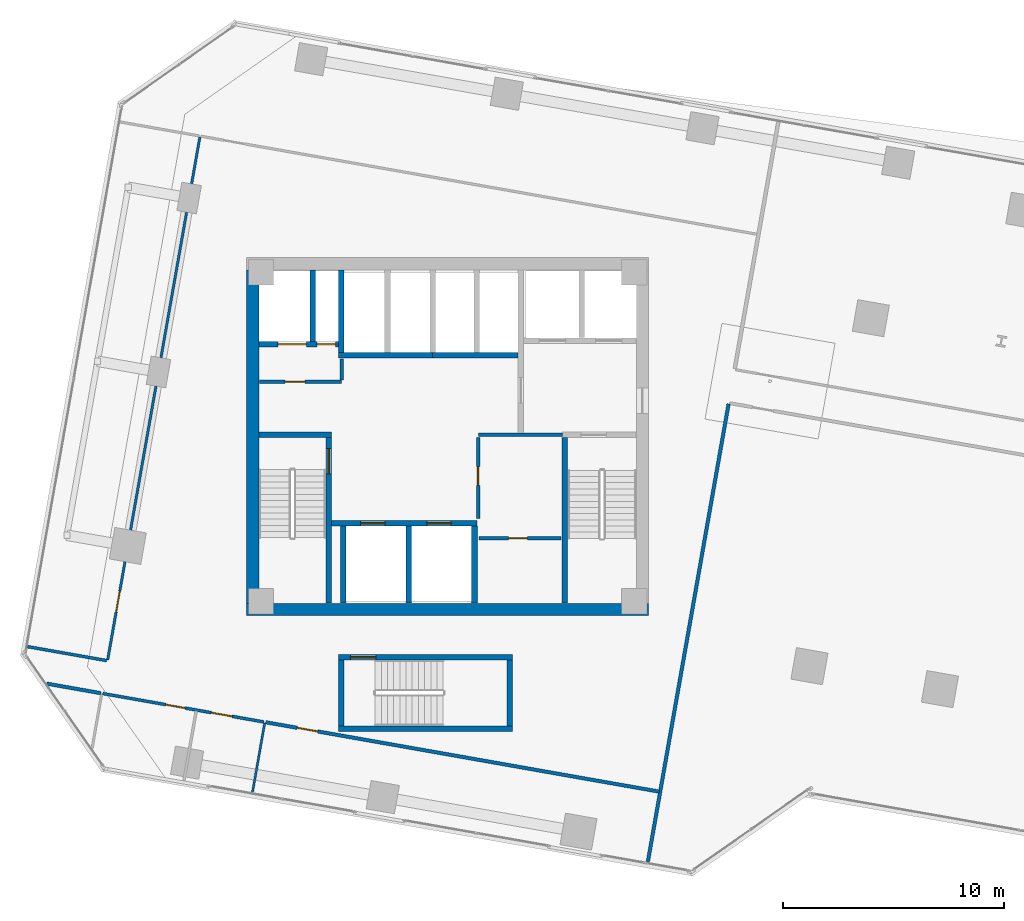
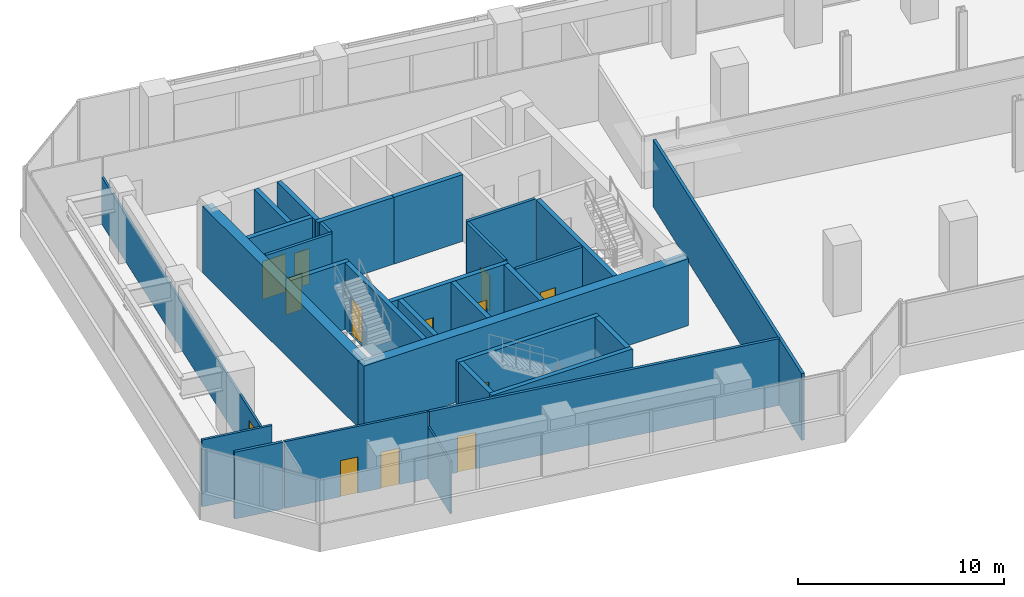
# One storey, part 19 of 24: 30 walls, 13 doors, 13 openings.
"""IFC4 building model written with IfcOpenShell, lengths in metres."""

import ifcopenshell
import ifcopenshell.guid

model = None  # the IFC model being written
_history = None  # IfcOwnerHistory: only IFC2X3 demands one
_inside = {}  # id of a spatial element -> (the spatial element, [elements in it])
_under = {}  # id of a project, library or spatial element -> (it, [spatial elements below it])
_declared = {}  # id of a project -> (the project, [libraries it declares])
_typed = {}  # id of a type object -> (the type object, [elements of that type])
_made_of = {}  # id of a material, layer set ... -> (it, [elements and type objects made of it])


def new_model(schema):
    """Start an empty IFC model of exactly this schema.

    Asked for "IFC4X3", IfcOpenShell would pick the latest addendum, in which some entities
    have other attributes; the version numbers below select the first issue.
    IFC2X3 requires an IfcOwnerHistory on every rooted entity: one is made here for all.
    """
    global model, _history
    if schema == "IFC4X3":
        model = ifcopenshell.file(schema_version=(4, 3, 0, 0))
    else:
        model = ifcopenshell.file(schema=schema)
    _inside.clear()
    _under.clear()
    _declared.clear()
    _typed.clear()
    _made_of.clear()
    _history = None
    if model.schema == "IFC2X3":
        org = make("IfcOrganization", Name="unknown")
        user = make(
            "IfcPersonAndOrganization",
            ThePerson=make("IfcPerson", FamilyName="unknown"),
            TheOrganization=org,
        )
        app = make(
            "IfcApplication",
            ApplicationDeveloper=org,
            Version="unknown",
            ApplicationFullName="unknown",
            ApplicationIdentifier="unknown",
        )
        _history = make(
            "IfcOwnerHistory",
            OwningUser=user,
            OwningApplication=app,
            ChangeAction="ADDED",
            CreationDate=0,
        )
    return model


def make(cls, **values):
    """One entity of the class cls with the attributes given. An attribute that is None is left unset."""
    return model.create_entity(
        cls, **{name: value for name, value in values.items() if value is not None}
    )


def rooted(cls, **values):
    """An entity with a GlobalId (a new one), such as an element, a storey or a relation."""
    return make(cls, GlobalId=ifcopenshell.guid.new(), OwnerHistory=_history, **values)


def si_unit(unit_type, name, prefix=None):
    """IfcSIUnit, for example si_unit("LENGTHUNIT", "METRE", prefix="MILLI")."""
    return make("IfcSIUnit", UnitType=unit_type, Prefix=prefix, Name=name)


def assignment(units):
    """IfcUnitAssignment: the units of a project."""
    return None if units is None else make("IfcUnitAssignment", Units=units)


def point(xyz):
    """IfcCartesianPoint."""
    return None if xyz is None else make("IfcCartesianPoint", Coordinates=xyz)


def direction(xyz):
    """IfcDirection."""
    return None if xyz is None else make("IfcDirection", DirectionRatios=xyz)


def frame(location, z_axis=None, x_axis=None):
    """IfcAxis2Placement3D, a coordinate frame: its origin and axes. An axis left out is left unset."""
    return make(
        "IfcAxis2Placement3D",
        Location=point(location),
        Axis=direction(z_axis),
        RefDirection=direction(x_axis),
    )


def frame_2d(location, x_axis=None):
    """IfcAxis2Placement2D, a coordinate frame in the plane: its origin and x axis."""
    return make(
        "IfcAxis2Placement2D", Location=point(location), RefDirection=direction(x_axis)
    )


def origin():
    """The frame at (0, 0, 0) with its axes left unset."""
    return frame((0.0, 0.0, 0.0))


def place(relative_to, where):
    """IfcLocalPlacement: puts the frame where relative to a parent placement (None: the world)."""
    return make(
        "IfcLocalPlacement", PlacementRelTo=relative_to, RelativePlacement=where
    )


def context(
    kind, dimensions, precision=None, world=None, true_north=None, identifier=None
):
    """IfcGeometricRepresentationContext, for example the 3D "Model" context."""
    return make(
        "IfcGeometricRepresentationContext",
        ContextIdentifier=identifier,
        ContextType=kind,
        CoordinateSpaceDimension=dimensions,
        Precision=precision,
        WorldCoordinateSystem=world,
        TrueNorth=true_north,
    )


def subcontext(parent, identifier, kind, view, scale=None):
    """IfcGeometricRepresentationSubContext, for example "Body" below "Model"."""
    return make(
        "IfcGeometricRepresentationSubContext",
        ContextIdentifier=identifier,
        ContextType=kind,
        ParentContext=parent,
        TargetScale=scale,
        TargetView=view,
    )


def project(units=None, contexts=None):
    """IfcProject with its units and contexts."""
    return rooted(
        "IfcProject",
        Name="project",
        RepresentationContexts=contexts,
        UnitsInContext=assignment(units),
    )


def spatial(cls, under=None, at=None, **own):
    """A site, building, storey or space (cls), placed at a placement, below another one or the project."""
    s = rooted(cls, ObjectPlacement=at, **own)
    if under is not None:
        _under.setdefault(under.id(), (under, []))[1].append(s)
    return s


def profile(cls, at=None, kind="AREA", **sizes):
    """A parametric profile (cls). Its sizes go by their IFC names, for example OverallWidth=200.0."""
    return make(cls, ProfileType=kind, Position=at, **sizes)


def rectangle(**sizes):
    """IfcRectangleProfileDef."""
    return profile("IfcRectangleProfileDef", **sizes)


def extrude(swept, where, along, depth):
    """IfcExtrudedAreaSolid: the profile swept, set in the frame where, extruded along a direction by depth."""
    return make(
        "IfcExtrudedAreaSolid",
        SweptArea=swept,
        Position=where,
        ExtrudedDirection=direction(along),
        Depth=depth,
    )


def shape(context_of_items, identifier, shape_type, items):
    """IfcShapeRepresentation: the items that make up one representation, for example the "Body"."""
    return make(
        "IfcShapeRepresentation",
        ContextOfItems=context_of_items,
        RepresentationIdentifier=identifier,
        RepresentationType=shape_type,
        Items=items,
    )


def source(mapping_origin, context_of_items, identifier, shape_type, items):
    """IfcRepresentationMap: a shape defined once, which mapped items show again and again."""
    return make(
        "IfcRepresentationMap",
        MappingOrigin=mapping_origin,
        MappedRepresentation=shape(context_of_items, identifier, shape_type, items),
    )


def transform(
    local_origin,
    x_axis=None,
    y_axis=None,
    z_axis=None,
    scale=None,
    scale2=None,
    scale3=None,
    uniform=True,
):
    """IfcCartesianTransformationOperator3D, or its non-uniform kind. x_axis, y_axis, z_axis: its Axis1, 2, 3."""
    if uniform:
        return make(
            "IfcCartesianTransformationOperator3D",
            Axis1=direction(x_axis),
            Axis2=direction(y_axis),
            LocalOrigin=point(local_origin),
            Scale=scale,
            Axis3=direction(z_axis),
        )
    return make(
        "IfcCartesianTransformationOperator3DnonUniform",
        Axis1=direction(x_axis),
        Axis2=direction(y_axis),
        LocalOrigin=point(local_origin),
        Scale=scale,
        Axis3=direction(z_axis),
        Scale2=scale2,
        Scale3=scale3,
    )


def mapped(mapping_source, mapping_target):
    """IfcMappedItem: shows the shape of a source again, moved by a transform."""
    return make(
        "IfcMappedItem", MappingSource=mapping_source, MappingTarget=mapping_target
    )


def material(Name=None, Category=None):
    """IfcMaterial."""
    return make("IfcMaterial", Name=Name, Category=Category)


def layer(
    of_material, thickness, ventilated=None, Name=None, Category=None, Priority=None
):
    """IfcMaterialLayer: one layer of a wall or slab, of a material (None: an air gap)."""
    return make(
        "IfcMaterialLayer",
        Material=of_material,
        LayerThickness=thickness,
        IsVentilated=ventilated,
        Name=Name,
        Category=Category,
        Priority=Priority,
    )


def layer_set(layers, Name=None):
    """IfcMaterialLayerSet."""
    return make("IfcMaterialLayerSet", MaterialLayers=layers, LayerSetName=Name)


def made_of(thing, what):
    """Note that an element or type object is made of a material, layer set ...; save() writes the relation."""
    if what is not None:
        _made_of.setdefault(what.id(), (what, []))[1].append(thing)
    return thing


def type_object(cls, material=None, **own):
    """A type object (cls), such as IfcWallType, which elements share."""
    return made_of(rooted(cls, **own), material)


def element(
    cls,
    number,
    at=None,
    inside=None,
    cuts=None,
    type_object=None,
    material=None,
    context=None,
    identifier="Body",
    shape_type=None,
    held_by="IfcProductDefinitionShape",
    body=None,
    shapes=None,
    **own,
):
    """One element of the class cls, such as IfcWall. Its Tag is "e" and its number.

    at: its placement. inside: the storey or other place that contains it. cuts: it is an
    opening in that element (IfcRelVoidsElement). A single representation is given by context,
    identifier, shape_type and body (its items); several are given by shapes. held_by: the class
    of the entity that holds the representations. save() writes the other relations.
    """
    e = rooted(cls, Tag="e%d" % number, ObjectPlacement=at, **own)
    if body is not None:
        shapes = [shape(context, identifier, shape_type, body)]
    if shapes is not None:
        e.Representation = make(held_by, Representations=shapes)
    if inside is not None:
        _inside.setdefault(inside.id(), (inside, []))[1].append(e)
    if cuts is not None:
        rooted(
            "IfcRelVoidsElement", RelatingBuildingElement=cuts, RelatedOpeningElement=e
        )
    if type_object is not None:
        _typed.setdefault(type_object.id(), (type_object, []))[1].append(e)
    return made_of(e, material)


def fill(opening, filler):
    """IfcRelFillsElement: the door or window that sits in an opening."""
    return rooted(
        "IfcRelFillsElement",
        RelatingOpeningElement=opening,
        RelatedBuildingElement=filler,
    )


def aggregate(whole, parts):
    """IfcRelAggregates: a whole, such as a stair, and the parts it consists of."""
    return rooted("IfcRelAggregates", RelatingObject=whole, RelatedObjects=parts)


def save(model, path):
    """Write the relations noted so far, then the file.

    IfcRelAggregates (storeys below a building ...), IfcRelContainedInSpatialStructure (elements
    in a storey), IfcRelDefinesByType, IfcRelAssociatesMaterial and IfcRelDeclares: one each for
    every whole, place, type object, material and project.
    """
    for whole, parts in _under.values():
        aggregate(whole, parts)
    for where, things in _inside.values():
        rooted(
            "IfcRelContainedInSpatialStructure",
            RelatedElements=things,
            RelatingStructure=where,
        )
    for kind, things in _typed.values():
        rooted("IfcRelDefinesByType", RelatedObjects=things, RelatingType=kind)
    for what, things in _made_of.values():
        rooted("IfcRelAssociatesMaterial", RelatedObjects=things, RelatingMaterial=what)
    for by, libraries in _declared.values():
        rooted("IfcRelDeclares", RelatingContext=by, RelatedDefinitions=libraries)
    model.write(path)


model = new_model("IFC4")

# Units and contexts
model_context = context("Model", 3, precision=1e-05, world=origin(), true_north=direction((0.0, 1.0)))
body_context = subcontext(model_context, "Body", "Model", "MODEL_VIEW")
ifc_project = project(units=[si_unit("LENGTHUNIT", "METRE"), si_unit("AREAUNIT", "SQUARE_METRE"), si_unit("VOLUMEUNIT", "CUBIC_METRE"), si_unit("PLANEANGLEUNIT", "RADIAN"), si_unit("MASSUNIT", "GRAM", prefix="KILO")], contexts=[model_context])

# Site, building, storey
site_placement = place(None, origin())
site = spatial("IfcSite", under=ifc_project, at=site_placement, CompositionType="ELEMENT")
building_placement = place(site_placement, origin())
building = spatial("IfcBuilding", under=site, at=building_placement, Name="Torre Montelarca", CompositionType="ELEMENT")
storey_placement = place(building_placement, frame((0.0, 0.0, 74.800048828125)))
storey = spatial("IfcBuildingStorey", under=building, at=storey_placement, Name="L16", CompositionType="ELEMENT", Elevation=74.800048828125)

# Wall, opening, door
ifc_material_1 = material(Name="Concrete C40/50", Category="concrete")
ifc_layer_1 = layer(ifc_material_1, 0.25, Name="Concrete C40/50", Category="concrete")
ifc_layer_set_1 = layer_set([ifc_layer_1], Name="Concrete C40/50")
wall_type_1 = type_object("IfcWallType", Name="CW-SHAFT-250", PredefinedType="SHEAR", material=ifc_layer_set_1)
wall_1_placement = place(storey_placement, frame((12.625, 24.4599609375, 0.0), z_axis=(0.0, 0.0, 1.0), x_axis=(0.0, 1.0, 0.0)))
wall_1 = element("IfcWall", 1, at=wall_1_placement, inside=storey, type_object=wall_type_1, Name="L16 Core Shear Wall SH-ST1-E", PredefinedType="SHEAR", context=body_context, shape_type="SweptSolid", body=[
    extrude(rectangle(XDim=7.489990234375, YDim=0.25, at=frame_2d((3.7451171875, 0.0))), origin(), (0.0, 0.0, 1.0), 3.9599609375),
])
opening_1_placement = place(wall_1_placement, frame((5.85009765625, 0.0, 0.0)))
opening_1 = element("IfcOpeningElement", 2, at=opening_1_placement, cuts=wall_1, Name="Opening FD-ST1", PredefinedType="OPENING", context=body_context, shape_type="SweptSolid", body=[
    extrude(rectangle(XDim=1.14990234375, YDim=2.199951171875, at=frame_2d((0.574951171875, 1.10009765625))), frame((0.0, 0.135009765625, 0.0), z_axis=(0.0, -1.0, 0.0), x_axis=(1.0, 0.0, 0.0)), (0.0, 0.0, 1.0), 0.27001953125),
])
ifc_material_2 = material(Name="Galvanized steel fire door", Category="steel")
door_type_1 = type_object("IfcDoorType", Name="DR-STAIR-115", OperationType="NOTDEFINED", PredefinedType="DOOR", material=ifc_material_2)
shared_shape_1 = source(origin(), body_context, "Body", "SweptSolid", [
    extrude(rectangle(XDim=1.14990234375, YDim=2.199951171875, at=frame_2d((0.574951171875, 1.10009765625))), frame((0.0, 0.02490234375, 0.0), z_axis=(0.0, -1.0, 0.0), x_axis=(1.0, 0.0, 0.0)), (0.0, 0.0, 1.0), 0.050048828125),
])
door_1_placement = place(opening_1_placement, origin())
door_1 = element("IfcDoor", 3, at=door_1_placement, inside=storey, type_object=door_type_1, Name="L16 Exit Stair ST1 Fire Door", OperationType="SINGLE_SWING_RIGHT", OverallHeight=2.199951171875, OverallWidth=1.14990234375, PredefinedType="DOOR", context=body_context, shape_type="MappedRepresentation", body=[
    mapped(shared_shape_1, transform((0.0, 0.0, 0.0), scale=1.0)),
])
fill(opening_1, door_1)

# Walls
wall_2_placement = place(storey_placement, frame((9.4599609375, 32.074951171875, 0.0), z_axis=(0.0, 0.0, 1.0), x_axis=(1.0, 0.0, 0.0)))
element("IfcWall", 4, at=wall_2_placement, inside=storey, type_object=wall_type_1, Name="L16 Core Shear Wall SH-ST1-N", PredefinedType="SHEAR", context=body_context, shape_type="SweptSolid", body=[
    extrude(rectangle(XDim=3.2900390625, YDim=0.25, at=frame_2d((1.64501953125, 0.0))), origin(), (0.0, 0.0, 1.0), 3.9599609375),
])
wall_3_placement = place(storey_placement, frame((23.31494140625, 24.4599609375, 0.0), z_axis=(0.0, 0.0, 1.0), x_axis=(0.0, 1.0, 0.0)))
element("IfcWall", 5, at=wall_3_placement, inside=storey, type_object=wall_type_1, Name="L16 Core Shear Wall SH-ST2-W", PredefinedType="SHEAR", context=body_context, shape_type="SweptSolid", body=[
    extrude(rectangle(XDim=7.489990234375, YDim=0.25, at=frame_2d((3.7451171875, 0.0))), origin(), (0.0, 0.0, 1.0), 3.9599609375),
])

# Wall, openings, doors
wall_4_placement = place(storey_placement, frame((9.4599609375, 36.179931640625, 0.0), z_axis=(0.0, 0.0, 1.0), x_axis=(1.0, 0.0, 0.0)))
wall_4 = element("IfcWall", 6, at=wall_4_placement, inside=storey, type_object=wall_type_1, Name="L16 Core Shear Wall SH-SV1-S", PredefinedType="SHEAR", context=body_context, shape_type="SweptSolid", body=[
    extrude(rectangle(XDim=3.7900390625, YDim=0.25, at=frame_2d((1.89501953125, 0.0))), origin(), (0.0, 0.0, 1.0), 3.9599609375),
])
opening_2_placement = place(wall_4_placement, frame((2.6201171875, 0.0, 0.0)))
opening_2 = element("IfcOpeningElement", 7, at=opening_2_placement, cuts=wall_4, Name="Opening FD-085", PredefinedType="OPENING", context=body_context, shape_type="SweptSolid", body=[
    extrude(rectangle(XDim=0.85009765625, YDim=2.10009765625, at=frame_2d((0.425048828125, 1.050048828125))), frame((0.0, 0.135009765625, 0.0), z_axis=(0.0, -1.0, 0.0), x_axis=(1.0, 0.0, 0.0)), (0.0, 0.0, 1.0), 0.27001953125),
])
opening_3_placement = place(wall_4_placement, frame((0.85009765625, 0.0, 0.0)))
opening_3 = element("IfcOpeningElement", 8, at=opening_3_placement, cuts=wall_4, Name="Opening LD-130", PredefinedType="OPENING", context=body_context, shape_type="SweptSolid", body=[
    extrude(rectangle(XDim=1.300048828125, YDim=2.25, at=frame_2d((0.64990234375, 1.125))), frame((0.0, 0.135009765625, 0.0), z_axis=(0.0, -1.0, 0.0), x_axis=(1.0, 0.0, 0.0)), (0.0, 0.0, 1.0), 0.27001953125),
])
ifc_material_3 = material(Name="Steel riser access fire door", Category="steel")
door_type_2 = type_object("IfcDoorType", Name="DR-RISER-085", OperationType="NOTDEFINED", PredefinedType="DOOR", material=ifc_material_3)
shared_shape_2 = source(origin(), body_context, "Body", "SweptSolid", [
    extrude(rectangle(XDim=0.85009765625, YDim=2.10009765625, at=frame_2d((0.425048828125, 1.050048828125))), frame((0.0, 0.02490234375, 0.0), z_axis=(0.0, -1.0, 0.0), x_axis=(1.0, 0.0, 0.0)), (0.0, 0.0, 1.0), 0.050048828125),
])
door_2_placement = place(opening_2_placement, origin())
door_2 = element("IfcDoor", 9, at=door_2_placement, inside=storey, type_object=door_type_2, Name="L16 Electrical Riser Shaft Access Door", OperationType="SINGLE_SWING_RIGHT", OverallHeight=2.10009765625, OverallWidth=0.85009765625, PredefinedType="DOOR", context=body_context, shape_type="MappedRepresentation", body=[
    mapped(shared_shape_2, transform((0.0, 0.0, 0.0), scale=1.0)),
])
fill(opening_2, door_2)
ifc_material_4 = material(Name="Brushed stainless steel AISI 316", Category="steel")
door_type_3 = type_object("IfcDoorType", Name="DR-LIFT-130", OperationType="SLIDING_TO_LEFT", PredefinedType="DOOR", material=ifc_material_4)
shared_shape_3 = source(origin(), body_context, "Body", "SweptSolid", [
    extrude(rectangle(XDim=1.300048828125, YDim=2.25, at=frame_2d((0.64990234375, 1.125))), frame((0.0, 0.02490234375, 0.0), z_axis=(0.0, -1.0, 0.0), x_axis=(1.0, 0.0, 0.0)), (0.0, 0.0, 1.0), 0.050048828125),
])
door_3_placement = place(opening_3_placement, origin())
door_3 = element("IfcDoor", 10, at=door_3_placement, inside=storey, type_object=door_type_3, Name="L16 Lift Landing Sliding Door SV-1", OperationType="SLIDING_TO_LEFT", OverallHeight=2.25, OverallWidth=1.300048828125, PredefinedType="DOOR", context=body_context, shape_type="MappedRepresentation", body=[
    mapped(shared_shape_3, transform((0.0, 0.0, 0.0), scale=1.0)),
])
fill(opening_3, door_3)

# Wall
wall_5_placement = place(storey_placement, frame((11.89990234375, 36.31005859375, 0.0), z_axis=(0.0, 0.0, 1.0), x_axis=(0.0, 1.0, 0.0)))
element("IfcWall", 11, at=wall_5_placement, inside=storey, type_object=wall_type_1, Name="L16 Core Shear Wall SH-SV1-E", PredefinedType="SHEAR", context=body_context, shape_type="SweptSolid", body=[
    extrude(rectangle(XDim=3.22998046875, YDim=0.25, at=frame_2d((1.614990234375, 0.0))), origin(), (0.0, 0.0, 1.0), 3.9599609375),
])

# Wall, openings, doors
wall_6_placement = place(storey_placement, frame((12.6298828125, 28.080078125, 0.0), z_axis=(0.0, 0.0, 1.0), x_axis=(1.0, 0.0, 0.0)))
wall_6 = element("IfcWall", 12, at=wall_6_placement, inside=storey, type_object=wall_type_1, Name="L16 Core Shear Wall SH-PLL-N", PredefinedType="SHEAR", context=body_context, shape_type="SweptSolid", body=[
    extrude(rectangle(XDim=6.710205078125, YDim=0.25, at=frame_2d((3.35498046875, 0.0))), origin(), (0.0, 0.0, 1.0), 3.9599609375),
])
opening_4_placement = place(wall_6_placement, frame((1.429931640625, 0.0, 0.0)))
opening_4 = element("IfcOpeningElement", 13, at=opening_4_placement, cuts=wall_6, Name="Opening LD-110", PredefinedType="OPENING", context=body_context, shape_type="SweptSolid", body=[
    extrude(rectangle(XDim=1.10009765625, YDim=2.199951171875, at=frame_2d((0.550048828125, 1.10009765625))), frame((0.0, 0.135009765625, 0.0), z_axis=(0.0, -1.0, 0.0), x_axis=(1.0, 0.0, 0.0)), (0.0, 0.0, 1.0), 0.27001953125),
])
opening_5_placement = place(wall_6_placement, frame((4.429931640625, 0.0, 0.0)))
opening_5 = element("IfcOpeningElement", 14, at=opening_5_placement, cuts=wall_6, Name="Opening LD-110", PredefinedType="OPENING", context=body_context, shape_type="SweptSolid", body=[
    extrude(rectangle(XDim=1.10009765625, YDim=2.199951171875, at=frame_2d((0.550048828125, 1.10009765625))), frame((0.0, 0.135009765625, 0.0), z_axis=(0.0, -1.0, 0.0), x_axis=(1.0, 0.0, 0.0)), (0.0, 0.0, 1.0), 0.27001953125),
])
door_type_4 = type_object("IfcDoorType", Name="DR-LIFT-110", OperationType="SLIDING_TO_LEFT", PredefinedType="DOOR", material=ifc_material_4)
shared_shape_4 = source(origin(), body_context, "Body", "SweptSolid", [
    extrude(rectangle(XDim=1.10009765625, YDim=2.199951171875, at=frame_2d((0.550048828125, 1.10009765625))), frame((0.0, 0.02490234375, 0.0), z_axis=(0.0, -1.0, 0.0), x_axis=(1.0, 0.0, 0.0)), (0.0, 0.0, 1.0), 0.050048828125),
])
door_4_placement = place(opening_4_placement, origin())
door_4 = element("IfcDoor", 15, at=door_4_placement, inside=storey, type_object=door_type_4, Name="L16 Lift Landing Sliding Door PL-L1", OperationType="SLIDING_TO_LEFT", OverallHeight=2.199951171875, OverallWidth=1.10009765625, PredefinedType="DOOR", context=body_context, shape_type="MappedRepresentation", body=[
    mapped(shared_shape_4, transform((0.0, 0.0, 0.0), scale=1.0)),
])
fill(opening_4, door_4)
door_5_placement = place(opening_5_placement, origin())
door_5 = element("IfcDoor", 16, at=door_5_placement, inside=storey, type_object=door_type_4, Name="L16 Lift Landing Sliding Door PL-L2", OperationType="SLIDING_TO_RIGHT", OverallHeight=2.199951171875, OverallWidth=1.10009765625, PredefinedType="DOOR", context=body_context, shape_type="MappedRepresentation", body=[
    mapped(shared_shape_4, transform((0.0, 0.0, 0.0), scale=1.0)),
])
fill(opening_5, door_5)

# Walls
for number, where, z_axis, x_axis, name in (
    (17, (13.280029296875, 24.4599609375, 0.0), (0.0, 0.0, 1.0), (0.0, 1.0, 0.0), "L16 Core Shear Wall SH-PLL-W"),
    (18, (16.25, 24.4599609375, 0.0), (0.0, 0.0, 1.0), (0.0, 1.0, 0.0), "L16 Core Shear Wall SH-PLL-M"),
    (19, (19.219970703125, 24.4599609375, 0.0), (0.0, 0.0, 1.0), (0.0, 1.0, 0.0), "L16 Core Shear Wall SH-PLL-E"),
):
    element("IfcWall", number, at=place(storey_placement, frame(where, z_axis=z_axis, x_axis=x_axis)), inside=storey, type_object=wall_type_1, Name=name, PredefinedType="SHEAR", context=body_context, shape_type="SweptSolid", body=[
        extrude(rectangle(XDim=3.489990234375, YDim=0.25, at=frame_2d((1.7451171875, 0.0))), origin(), (0.0, 0.0, 1.0), 3.9599609375),
    ])
wall_7_placement = place(storey_placement, frame((13.06005859375, 35.679931640625, 0.0), z_axis=(0.0, 0.0, 1.0), x_axis=(1.0, 0.0, 0.0)))
element("IfcWall", 20, at=wall_7_placement, inside=storey, type_object=wall_type_1, Name="L16 Core Shear Wall SH-PLM-S", PredefinedType="SHEAR", context=body_context, shape_type="SweptSolid", body=[
    extrude(rectangle(XDim=4.25, YDim=0.25, at=frame_2d((2.125, 0.0))), origin(), (0.0, 0.0, 1.0), 3.9599609375),
])
wall_8_placement = place(storey_placement, frame((13.179931640625, 35.81005859375, 0.0), z_axis=(0.0, 0.0, 1.0), x_axis=(0.0, 1.0, 0.0)))
element("IfcWall", 21, at=wall_8_placement, inside=storey, type_object=wall_type_1, Name="L16 Core Shear Wall SH-PLM-W", PredefinedType="SHEAR", context=body_context, shape_type="SweptSolid", body=[
    extrude(rectangle(XDim=3.72998046875, YDim=0.25, at=frame_2d((1.864990234375, 0.0))), origin(), (0.0, 0.0, 1.0), 3.9599609375),
])
wall_9_placement = place(storey_placement, frame((17.320068359375, 35.679931640625, 0.0), z_axis=(0.0, 0.0, 1.0), x_axis=(1.0, 0.0, 0.0)))
element("IfcWall", 22, at=wall_9_placement, inside=storey, type_object=wall_type_1, Name="L16 Core Shear Wall SH-PLH-S", PredefinedType="SHEAR", context=body_context, shape_type="SweptSolid", body=[
    extrude(rectangle(XDim=3.869873046875, YDim=0.25, at=frame_2d((1.93505859375, 0.0))), origin(), (0.0, 0.0, 1.0), 3.9599609375),
])
for number, where, z_axis, x_axis, name in (
    (23, (13.175048828125, 18.89990234375, 0.0), (0.0, 0.0, 1.0), (0.0, 1.0, 0.0), "L16 Core Shear Wall SH-ST3-W"),
    (24, (20.824951171875, 18.89990234375, 0.0), (0.0, 0.0, 1.0), (0.0, 1.0, 0.0), "L16 Core Shear Wall SH-ST3-E"),
):
    element("IfcWall", number, at=place(storey_placement, frame(where, z_axis=z_axis, x_axis=x_axis)), inside=storey, type_object=wall_type_1, Name=name, PredefinedType="SHEAR", context=body_context, shape_type="SweptSolid", body=[
        extrude(rectangle(XDim=2.989990234375, YDim=0.25, at=frame_2d((1.4951171875, 0.0))), origin(), (0.0, 0.0, 1.0), 3.9599609375),
    ])
wall_10_placement = place(storey_placement, frame((13.050048828125, 18.77490234375, 0.0), z_axis=(0.0, 0.0, 1.0), x_axis=(1.0, 0.0, 0.0)))
element("IfcWall", 25, at=wall_10_placement, inside=storey, type_object=wall_type_1, Name="L16 Core Shear Wall SH-ST3-S", PredefinedType="SHEAR", context=body_context, shape_type="SweptSolid", body=[
    extrude(rectangle(XDim=7.89990234375, YDim=0.25, at=frame_2d((3.949951171875, 0.0))), origin(), (0.0, 0.0, 1.0), 3.9599609375),
])

# Wall, opening, door
wall_11_placement = place(storey_placement, frame((13.050048828125, 22.014892578125, 0.0), z_axis=(0.0, 0.0, 1.0), x_axis=(1.0, 0.0, 0.0)))
wall_11 = element("IfcWall", 26, at=wall_11_placement, inside=storey, type_object=wall_type_1, Name="L16 Core Shear Wall SH-ST3-N", PredefinedType="SHEAR", context=body_context, shape_type="SweptSolid", body=[
    extrude(rectangle(XDim=7.89990234375, YDim=0.25, at=frame_2d((3.949951171875, 0.0))), origin(), (0.0, 0.0, 1.0), 3.9599609375),
])
opening_6_placement = place(wall_11_placement, frame((0.550048828125, 0.0, 0.0)))
opening_6 = element("IfcOpeningElement", 27, at=opening_6_placement, cuts=wall_11, Name="Opening FD-ST1", PredefinedType="OPENING", context=body_context, shape_type="SweptSolid", body=[
    extrude(rectangle(XDim=1.14990234375, YDim=2.199951171875, at=frame_2d((0.574951171875, 1.10009765625))), frame((0.0, 0.135009765625, 0.0), z_axis=(0.0, -1.0, 0.0), x_axis=(1.0, 0.0, 0.0)), (0.0, 0.0, 1.0), 0.27001953125),
])
door_6_placement = place(opening_6_placement, origin())
door_6 = element("IfcDoor", 28, at=door_6_placement, inside=storey, type_object=door_type_1, Name="L16 Exit Stair ST3 Fire Door", OperationType="SINGLE_SWING_LEFT", OverallHeight=2.199951171875, OverallWidth=1.14990234375, PredefinedType="DOOR", context=body_context, shape_type="MappedRepresentation", body=[
    mapped(shared_shape_1, transform((0.0, 0.0, 0.0), scale=1.0)),
])
fill(opening_6, door_6)

# Walls
ifc_material_5 = material(Name="Concrete C70/85", Category="concrete")
ifc_layer_2 = layer(ifc_material_5, 0.550048828125, Name="Concrete C70/85", Category="concrete")
ifc_layer_set_2 = layer_set([ifc_layer_2], Name="Concrete C70/85")
wall_type_2 = type_object("IfcWallType", Name="CW-SHEAR-550", PredefinedType="SHEAR", material=ifc_layer_set_2)
wall_12_placement = place(storey_placement, frame((9.175048828125, 24.449951171875, 0.0), z_axis=(0.0, 0.0, 1.0), x_axis=(0.0, 1.0, 0.0)))
element("IfcWall", 29, at=wall_12_placement, inside=storey, type_object=wall_type_2, Name="L16 Core Shear Wall CW-W", PredefinedType="SHEAR", context=body_context, shape_type="SweptSolid", body=[
    extrude(rectangle(XDim=15.10009765625, YDim=0.550048828125, at=frame_2d((7.550048828125, 0.0))), origin(), (0.0, 0.0, 1.0), 3.9599609375),
])
wall_13_placement = place(storey_placement, frame((8.89990234375, 24.175048828125, 0.0), z_axis=(0.0, 0.0, 1.0), x_axis=(1.0, 0.0, 0.0)))
element("IfcWall", 30, at=wall_13_placement, inside=storey, type_object=wall_type_2, Name="L16 Core Shear Wall CW-S1", PredefinedType="SHEAR", context=body_context, shape_type="SweptSolid", body=[
    extrude(rectangle(XDim=18.2001953125, YDim=0.550048828125, at=frame_2d((9.10009765625, 0.0))), origin(), (0.0, 0.0, 1.0), 3.9599609375),
])

# Wall, opening, door
ifc_material_6 = material(Name="Gypsum plasterboard on steel stud", Category="steel")
ifc_layer_3 = layer(ifc_material_6, 0.159912109375, Name="Gypsum plasterboard on steel stud", Category="steel")
ifc_layer_set_3 = layer_set([ifc_layer_3], Name="Gypsum plasterboard on steel stud")
wall_type_3 = type_object("IfcWallType", Name="PW-FIRE-160", PredefinedType="PARTITIONING", material=ifc_layer_set_3)
wall_14_placement = place(storey_placement, frame((9.489990234375, 34.47998046875, 0.0), z_axis=(0.0, 0.0, 1.0), x_axis=(1.0, 0.0, 0.0)))
wall_14 = element("IfcWall", 31, at=wall_14_placement, inside=storey, type_object=wall_type_3, Name="L16 Interior Partition CW-L16-SVS", PredefinedType="PARTITIONING", context=body_context, shape_type="SweptSolid", body=[
    extrude(rectangle(XDim=3.699951171875, YDim=0.159912109375, at=frame_2d((1.85009765625, 0.0))), origin(), (0.0, 0.0, 1.0), 3.9599609375),
])
opening_7_placement = place(wall_14_placement, frame((1.14990234375, 0.0, 0.0)))
opening_7 = element("IfcOpeningElement", 32, at=opening_7_placement, cuts=wall_14, Name="Opening FD-090", PredefinedType="OPENING", context=body_context, shape_type="SweptSolid", body=[
    extrude(rectangle(XDim=0.89990234375, YDim=2.14990234375, at=frame_2d((0.449951171875, 1.074951171875))), frame((0.0, 0.08984375, 0.0), z_axis=(0.0, -1.0, 0.0), x_axis=(1.0, 0.0, 0.0)), (0.0, 0.0, 1.0), 0.179931640625),
])
ifc_material_7 = material(Name="Steel service fire door", Category="steel")
door_type_5 = type_object("IfcDoorType", Name="DR-FIRE-090", OperationType="NOTDEFINED", PredefinedType="DOOR", material=ifc_material_7)
shared_shape_5 = source(origin(), body_context, "Body", "SweptSolid", [
    extrude(rectangle(XDim=0.89990234375, YDim=2.14990234375, at=frame_2d((0.449951171875, 1.074951171875))), frame((0.0, 0.02490234375, 0.0), z_axis=(0.0, -1.0, 0.0), x_axis=(1.0, 0.0, 0.0)), (0.0, 0.0, 1.0), 0.050048828125),
])
door_7_placement = place(opening_7_placement, origin())
door_7 = element("IfcDoor", 33, at=door_7_placement, inside=storey, type_object=door_type_5, Name="L16 Interior Door 01", OperationType="SINGLE_SWING_RIGHT", OverallHeight=2.14990234375, OverallWidth=0.89990234375, PredefinedType="DOOR", context=body_context, shape_type="MappedRepresentation", body=[
    mapped(shared_shape_5, transform((0.0, 0.0, 0.0), scale=1.0)),
])
fill(opening_7, door_7)

# Walls
wall_15_placement = place(storey_placement, frame((13.199951171875, 34.570068359375, 0.0), z_axis=(0.0, 0.0, 1.0), x_axis=(0.0, 1.0, 0.0)))
element("IfcWall", 34, at=wall_15_placement, inside=storey, type_object=wall_type_3, Name="L16 Interior Partition CW-L16-SVE", PredefinedType="PARTITIONING", context=body_context, shape_type="SweptSolid", body=[
    extrude(rectangle(XDim=0.93994140625, YDim=0.159912109375, at=frame_2d((0.469970703125, 0.0))), origin(), (0.0, 0.0, 1.0), 3.9599609375),
])
wall_16_placement = place(storey_placement, frame((19.389892578125, 32.080078125, 0.0), z_axis=(0.0, 0.0, 1.0), x_axis=(1.0, 0.0, 0.0)))
element("IfcWall", 35, at=wall_16_placement, inside=storey, type_object=wall_type_3, Name="L16 Interior Partition CW-L16-SEN", PredefinedType="PARTITIONING", context=body_context, shape_type="SweptSolid", body=[
    extrude(rectangle(XDim=3.820068359375, YDim=0.159912109375, at=frame_2d((1.91015625, 0.0))), origin(), (0.0, 0.0, 1.0), 3.9599609375),
])

# Wall, opening, door
wall_17_placement = place(storey_placement, frame((19.3798828125, 28.2900390625, 0.0), z_axis=(0.0, 0.0, 1.0), x_axis=(0.0, 1.0, 0.0)))
wall_17 = element("IfcWall", 36, at=wall_17_placement, inside=storey, type_object=wall_type_3, Name="L16 Interior Partition CW-L16-SEW", PredefinedType="PARTITIONING", context=body_context, shape_type="SweptSolid", body=[
    extrude(rectangle(XDim=3.669921875, YDim=0.159912109375, at=frame_2d((1.8349609375, 0.0))), origin(), (0.0, 0.0, 1.0), 3.9599609375),
])
opening_8_placement = place(wall_17_placement, frame((1.5, 0.0, 0.0)))
opening_8 = element("IfcOpeningElement", 37, at=opening_8_placement, cuts=wall_17, Name="Opening FD-085", PredefinedType="OPENING", context=body_context, shape_type="SweptSolid", body=[
    extrude(rectangle(XDim=0.85009765625, YDim=2.10009765625, at=frame_2d((0.425048828125, 1.050048828125))), frame((0.0, 0.08984375, 0.0), z_axis=(0.0, -1.0, 0.0), x_axis=(1.0, 0.0, 0.0)), (0.0, 0.0, 1.0), 0.179931640625),
])
door_8_placement = place(opening_8_placement, origin())
door_8 = element("IfcDoor", 38, at=door_8_placement, inside=storey, type_object=door_type_2, Name="L16 Interior Door 03", OperationType="SINGLE_SWING_RIGHT", OverallHeight=2.10009765625, OverallWidth=0.85009765625, PredefinedType="DOOR", context=body_context, shape_type="MappedRepresentation", body=[
    mapped(shared_shape_2, transform((0.0, 0.0, 0.0), scale=1.0)),
])
fill(opening_8, door_8)

wall_18_placement = place(storey_placement, frame((19.419921875, 27.39990234375, 0.0), z_axis=(0.0, 0.0, 1.0), x_axis=(1.0, 0.0, 0.0)))
wall_18 = element("IfcWall", 39, at=wall_18_placement, inside=storey, type_object=wall_type_3, Name="L16 Interior Partition CW-L16-SEM1", PredefinedType="PARTITIONING", context=body_context, shape_type="SweptSolid", body=[
    extrude(rectangle(XDim=3.719970703125, YDim=0.159912109375, at=frame_2d((1.85986328125, 0.0))), origin(), (0.0, 0.0, 1.0), 3.9599609375),
])
opening_9_placement = place(wall_18_placement, frame((1.35009765625, 0.0, 0.0)))
opening_9 = element("IfcOpeningElement", 40, at=opening_9_placement, cuts=wall_18, Name="Opening FD-085", PredefinedType="OPENING", context=body_context, shape_type="SweptSolid", body=[
    extrude(rectangle(XDim=0.85009765625, YDim=2.10009765625, at=frame_2d((0.425048828125, 1.050048828125))), frame((0.0, 0.08984375, 0.0), z_axis=(0.0, -1.0, 0.0), x_axis=(1.0, 0.0, 0.0)), (0.0, 0.0, 1.0), 0.179931640625),
])
door_9_placement = place(opening_9_placement, origin())
door_9 = element("IfcDoor", 41, at=door_9_placement, inside=storey, type_object=door_type_2, Name="L16 Interior Door 02", OperationType="SINGLE_SWING_LEFT", OverallHeight=2.10009765625, OverallWidth=0.85009765625, PredefinedType="DOOR", context=body_context, shape_type="MappedRepresentation", body=[
    mapped(shared_shape_2, transform((0.0, 0.0, 0.0), scale=1.0)),
])
fill(opening_9, door_9)

# Wall
wall_19_placement = place(storey_placement, frame((-0.154052734375, 20.810302734375, 0.0), z_axis=(0.0, 0.0, 1.0), x_axis=(0.984798349436, -0.173701499557, 0.0)))
element("IfcWall", 42, at=wall_19_placement, inside=storey, type_object=wall_type_3, Name="L16 Interior Partition W-L16-SOCCW", PredefinedType="PARTITIONING", context=body_context, shape_type="SweptSolid", body=[
    extrude(rectangle(XDim=2.491943359375, YDim=0.159912109375, at=frame_2d((1.24609375, 0.0))), origin(), (0.0, 0.0, 1.0), 3.9599609375),
])

# Wall, opening, door
wall_20_placement = place(storey_placement, frame((9.764892578125, 19.061279296875, 0.0), z_axis=(0.0, 0.0, 1.0), x_axis=(0.984807312871, -0.173650673815, 0.0)))
wall_20 = element("IfcWall", 43, at=wall_20_placement, inside=storey, type_object=wall_type_3, Name="L16 Interior Partition W-L16-SOCCN", PredefinedType="PARTITIONING", context=body_context, shape_type="SweptSolid", body=[
    extrude(rectangle(XDim=18.099853515625, YDim=0.159912109375, at=frame_2d((9.0498046875, 0.0))), origin(), (0.0, 0.0, 1.0), 3.9599609375),
])
opening_10_placement = place(wall_20_placement, frame((1.449951171875, 0.0, 0.0)))
opening_10 = element("IfcOpeningElement", 44, at=opening_10_placement, cuts=wall_20, Name="Opening FD-095", PredefinedType="OPENING", context=body_context, shape_type="SweptSolid", body=[
    extrude(rectangle(XDim=0.949951171875, YDim=2.14990234375, at=frame_2d((0.47509765625, 1.074951171875))), frame((0.0, 0.08984375, 0.0), z_axis=(0.0, -1.0, 0.0), x_axis=(1.0, 0.0, 0.0)), (0.0, 0.0, 1.0), 0.179931640625),
])
ifc_material_8 = material(Name="Timber fire-rated room door", Category="wood")
door_type_6 = type_object("IfcDoorType", Name="DR-FIRE-095", OperationType="NOTDEFINED", PredefinedType="DOOR", material=ifc_material_8)
shared_shape_6 = source(origin(), body_context, "Body", "SweptSolid", [
    extrude(rectangle(XDim=0.949951171875, YDim=2.14990234375, at=frame_2d((0.47509765625, 1.074951171875))), frame((0.0, 0.02490234375, 0.0), z_axis=(0.0, -1.0, 0.0), x_axis=(1.0, 0.0, 0.0)), (0.0, 0.0, 1.0), 0.050048828125),
])
door_10_placement = place(opening_10_placement, origin())
door_10 = element("IfcDoor", 45, at=door_10_placement, inside=storey, type_object=door_type_6, Name="L16 Interior Door 06", OperationType="SINGLE_SWING_RIGHT", OverallHeight=2.14990234375, OverallWidth=0.949951171875, PredefinedType="DOOR", context=body_context, shape_type="MappedRepresentation", body=[
    mapped(shared_shape_6, transform((0.0, 0.0, 0.0), scale=1.0)),
])
fill(opening_10, door_10)

# Walls
wall_21_placement = place(storey_placement, frame((27.066650390625, 12.720458984375, 0.0), z_axis=(0.0, 0.0, 1.0), x_axis=(0.173654514703, 0.984806635601, 0.0)))
element("IfcWall", 46, at=wall_21_placement, inside=storey, type_object=wall_type_3, Name="L16 Interior Partition W-L16-ECS", PredefinedType="PARTITIONING", context=body_context, shape_type="SweptSolid", body=[
    extrude(rectangle(XDim=21.080078125, YDim=0.159912109375, at=frame_2d((10.5400390625, 0.0))), origin(), (0.0, 0.0, 1.0), 3.9599609375),
])
ifc_material_9 = material(Name="Acoustic laminated glass partition", Category="glass")
ifc_layer_4 = layer(ifc_material_9, 0.10009765625, Name="Acoustic laminated glass partition", Category="glass")
ifc_layer_set_4 = layer_set([ifc_layer_4], Name="Acoustic laminated glass partition")
wall_type_4 = type_object("IfcWallType", Name="PW-GLAZ-100", PredefinedType="PARTITIONING", material=ifc_layer_set_4)
wall_22_placement = place(storey_placement, frame((9.162841796875, 15.87744140625, 0.0), z_axis=(0.0, 0.0, 1.0), x_axis=(0.173646056486, 0.984808127031, 0.0)))
element("IfcWall", 47, at=wall_22_placement, inside=storey, type_object=wall_type_4, Name="L16 Interior Partition W-L16-SWCDIV", PredefinedType="PARTITIONING", context=body_context, shape_type="SweptSolid", body=[
    extrude(rectangle(XDim=3.199951171875, YDim=0.10009765625, at=frame_2d((1.60009765625, 0.0))), origin(), (0.0, 0.0, 1.0), 3.094970703125),
])

# Wall, opening, door
ifc_layer_5 = layer(ifc_material_6, 0.114990234375, Name="Gypsum plasterboard on steel stud", Category="steel")
ifc_layer_set_5 = layer_set([ifc_layer_5], Name="Gypsum plasterboard on steel stud")
wall_type_5 = type_object("IfcWallType", Name="PW-PART-115", PredefinedType="PARTITIONING", material=ifc_layer_set_5)
wall_23_placement = place(storey_placement, frame((2.606689453125, 21.88720703125, 0.0), z_axis=(0.0, 0.0, 1.0), x_axis=(0.173659666579, 0.984805727138, 0.0)))
wall_23 = element("IfcWall", 48, at=wall_23_placement, inside=storey, type_object=wall_type_5, Name="L16 Interior Partition W-L16-WWGE", PredefinedType="PARTITIONING", context=body_context, shape_type="SweptSolid", body=[
    extrude(rectangle(XDim=24.050048828125, YDim=0.114990234375, at=frame_2d((12.02490234375, 0.0))), origin(), (0.0, 0.0, 1.0), 2.794921875),
])
opening_11_placement = place(wall_23_placement, frame((2.199951171875, 0.0, 0.0)))
opening_11 = element("IfcOpeningElement", 49, at=opening_11_placement, cuts=wall_23, Name="Opening ID-095", PredefinedType="OPENING", context=body_context, shape_type="SweptSolid", body=[
    extrude(rectangle(XDim=0.949951171875, YDim=2.14990234375, at=frame_2d((0.47509765625, 1.074951171875))), frame((0.0, 0.0673828125, 0.0), z_axis=(0.0, -1.0, 0.0), x_axis=(1.0, 0.0, 0.0)), (0.0, 0.0, 1.0), 0.135009765625),
])
ifc_material_10 = material(Name="Hardwood acoustic timber veneer", Category="wood")
door_type_7 = type_object("IfcDoorType", Name="DR-INT-095", OperationType="NOTDEFINED", PredefinedType="DOOR", material=ifc_material_10)
shared_shape_7 = source(origin(), body_context, "Body", "SweptSolid", [
    extrude(rectangle(XDim=0.949951171875, YDim=2.14990234375, at=frame_2d((0.47509765625, 1.074951171875))), frame((0.0, 0.02490234375, 0.0), z_axis=(0.0, -1.0, 0.0), x_axis=(1.0, 0.0, 0.0)), (0.0, 0.0, 1.0), 0.050048828125),
])
door_11_placement = place(opening_11_placement, origin())
door_11 = element("IfcDoor", 50, at=door_11_placement, inside=storey, type_object=door_type_7, Name="L16 Interior Door 08", OperationType="SINGLE_SWING_LEFT", OverallHeight=2.14990234375, OverallWidth=0.949951171875, PredefinedType="DOOR", context=body_context, shape_type="MappedRepresentation", body=[
    mapped(shared_shape_7, transform((0.0, 0.0, 0.0), scale=1.0)),
])
fill(opening_11, door_11)

# Wall, openings, doors
ifc_layer_6 = layer(ifc_material_6, 0.135009765625, Name="Gypsum plasterboard on steel stud", Category="steel")
ifc_layer_set_6 = layer_set([ifc_layer_6], Name="Gypsum plasterboard on steel stud")
wall_type_6 = type_object("IfcWallType", Name="PW-PART-135", PredefinedType="PARTITIONING", material=ifc_layer_set_6)
wall_24_placement = place(storey_placement, frame((2.37890625, 20.363525390625, 0.0), z_axis=(0.0, 0.0, 1.0), x_axis=(0.984810378022, -0.173633289837, 0.0)))
wall_24 = element("IfcWall", 51, at=wall_24_placement, inside=storey, type_object=wall_type_6, Name="L16 Interior Partition W-L16-WCN", PredefinedType="PARTITIONING", context=body_context, shape_type="SweptSolid", body=[
    extrude(rectangle(XDim=7.419921875, YDim=0.135009765625, at=frame_2d((3.7099609375, 0.0))), origin(), (0.0, 0.0, 1.0), 3.9599609375),
])
opening_12_placement = place(wall_24_placement, frame((2.89990234375, 0.0, 0.0)))
opening_12 = element("IfcOpeningElement", 52, at=opening_12_placement, cuts=wall_24, Name="Opening ID-090", PredefinedType="OPENING", context=body_context, shape_type="SweptSolid", body=[
    extrude(rectangle(XDim=0.89990234375, YDim=2.14990234375, at=frame_2d((0.449951171875, 1.074951171875))), frame((0.0, 0.07763671875, 0.0), z_axis=(0.0, -1.0, 0.0), x_axis=(1.0, 0.0, 0.0)), (0.0, 0.0, 1.0), 0.155029296875),
])
opening_13_placement = place(wall_24_placement, frame((5.0, 0.0, 0.0)))
opening_13 = element("IfcOpeningElement", 53, at=opening_13_placement, cuts=wall_24, Name="Opening ID-095", PredefinedType="OPENING", context=body_context, shape_type="SweptSolid", body=[
    extrude(rectangle(XDim=0.949951171875, YDim=2.14990234375, at=frame_2d((0.47509765625, 1.074951171875))), frame((0.0, 0.07763671875, 0.0), z_axis=(0.0, -1.0, 0.0), x_axis=(1.0, 0.0, 0.0)), (0.0, 0.0, 1.0), 0.155029296875),
])
door_type_8 = type_object("IfcDoorType", Name="DR-INT-090", OperationType="NOTDEFINED", PredefinedType="DOOR", material=ifc_material_10)
shared_shape_8 = source(origin(), body_context, "Body", "SweptSolid", [
    extrude(rectangle(XDim=0.89990234375, YDim=2.14990234375, at=frame_2d((0.449951171875, 1.074951171875))), frame((0.0, 0.02490234375, 0.0), z_axis=(0.0, -1.0, 0.0), x_axis=(1.0, 0.0, 0.0)), (0.0, 0.0, 1.0), 0.050048828125),
])
door_12_placement = place(opening_12_placement, origin())
door_12 = element("IfcDoor", 54, at=door_12_placement, inside=storey, type_object=door_type_8, Name="L16 Interior Door 04", OperationType="SINGLE_SWING_LEFT", OverallHeight=2.14990234375, OverallWidth=0.89990234375, PredefinedType="DOOR", context=body_context, shape_type="MappedRepresentation", body=[
    mapped(shared_shape_8, transform((0.0, 0.0, 0.0), scale=1.0)),
])
fill(opening_12, door_12)
door_13_placement = place(opening_13_placement, origin())
door_13 = element("IfcDoor", 55, at=door_13_placement, inside=storey, type_object=door_type_7, Name="L16 Interior Door 05", OperationType="SINGLE_SWING_RIGHT", OverallHeight=2.14990234375, OverallWidth=0.949951171875, PredefinedType="DOOR", context=body_context, shape_type="MappedRepresentation", body=[
    mapped(shared_shape_7, transform((0.0, 0.0, 0.0), scale=1.0)),
])
fill(opening_13, door_13)

# Wall
wall_25_placement = place(storey_placement, frame((-1.014404296875, 22.485107421875, 0.0), z_axis=(0.0, 0.0, 1.0), x_axis=(0.984795743306, -0.173716274326, 0.0)))
element("IfcWall", 56, at=wall_25_placement, inside=storey, type_object=wall_type_6, Name="L16 Interior Partition W-L16-WWGS", PredefinedType="PARTITIONING", context=body_context, shape_type="SweptSolid", body=[
    extrude(rectangle(XDim=3.630126953125, YDim=0.135009765625, at=frame_2d((1.81494140625, 0.0))), origin(), (0.0, 0.0, 1.0), 3.9599609375),
])

save(model, "model.ifc")
